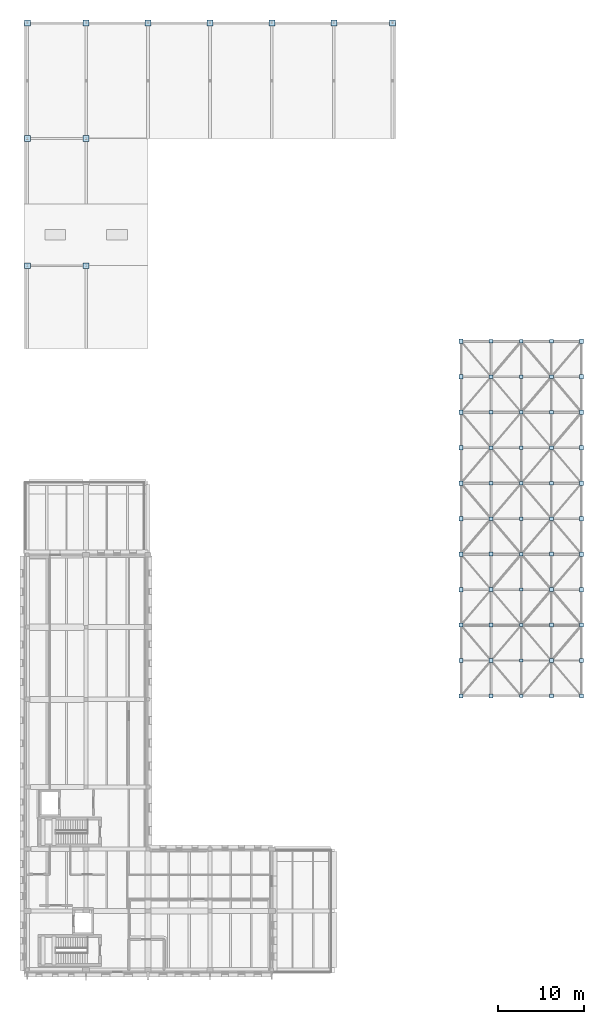
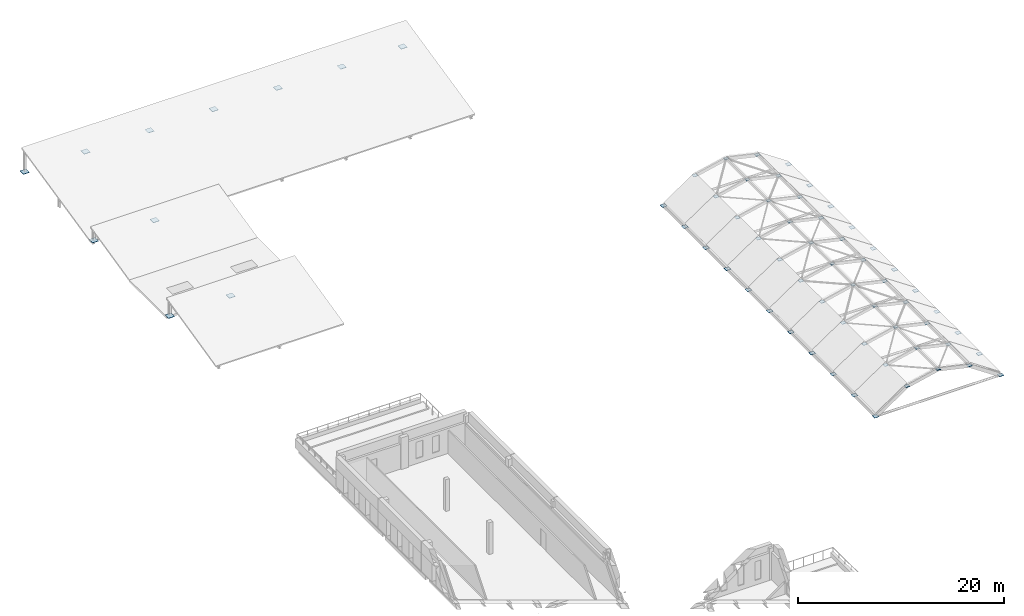
# One storey, part 8 of 15: 66 plates.
"""IFC4 building model written with IfcOpenShell, lengths in metres."""

from ifc_helpers import new_model, si_unit, direction, frame, origin, origin_2d, place, context, subcontext, project, spatial, rectangle, extrude, material, layer, layer_set, type_object, element, save


model = new_model("IFC4")

# Units and contexts
model_context = context("Model", 3, precision=1e-05, world=origin(), true_north=direction((0.0, 1.0)))
body_context = subcontext(model_context, "Body", "Model", "MODEL_VIEW")
ifc_project = project(units=[si_unit("LENGTHUNIT", "METRE"), si_unit("AREAUNIT", "SQUARE_METRE"), si_unit("VOLUMEUNIT", "CUBIC_METRE"), si_unit("PLANEANGLEUNIT", "RADIAN"), si_unit("MASSUNIT", "GRAM", prefix="KILO")], contexts=[model_context])

# Site, building, storey
site_placement = place(None, origin())
site = spatial("IfcSite", under=ifc_project, at=site_placement, CompositionType="ELEMENT")
building_placement = place(site_placement, origin())
building = spatial("IfcBuilding", under=site, at=building_placement, Name="Vardoun Plaza Health Centre", CompositionType="ELEMENT")
storey_placement = place(building_placement, frame((0.0, 0.0, 17.10009765625)))
storey = spatial("IfcBuildingStorey", under=building, at=storey_placement, Name="L04", CompositionType="ELEMENT", Elevation=17.10009765625)

# Plates
ifc_material_1 = material(Name="Steel S355J2", Category="steel")
ifc_layer_1 = layer(ifc_material_1, 0.0419921875)
ifc_layer_set_1 = layer_set([ifc_layer_1], Name="Steel S355J2")
plate_type_1 = type_object("IfcPlateType", Name="BP-03", PredefinedType="SHEET", material=ifc_layer_set_1)
for number, where, z_axis, x_axis, name in (
    (1, (4.8798828125, 86.699951171875, -0.041015625), (0.0, 0.0, 1.0), (1.0, 0.0, 0.0), "V3 Sawtooth Post Base Plate 1.1"),
    (2, (11.699951171875, 86.699951171875, -0.041015625), (0.0, 0.0, 1.0), (1.0, 0.0, 0.0), "V3 Sawtooth Post Base Plate 1.2"),
    (3, (4.8798828125, 101.47998046875, -0.041015625), (0.0, 0.0, 1.0), (1.0, 0.0, 0.0), "V3 Sawtooth Post Base Plate 2.1"),
    (4, (11.699951171875, 101.47998046875, -0.041015625), (0.0, 0.0, 1.0), (1.0, 0.0, 0.0), "V3 Sawtooth Post Base Plate 2.2"),
    (5, (4.8798828125, 114.919921875, -0.041015625), (0.0, 0.0, 1.0), (1.0, 0.0, 0.0), "V3 Sawtooth Post Base Plate 3.1"),
    (6, (11.699951171875, 114.919921875, -0.041015625), (0.0, 0.0, 1.0), (1.0, 0.0, 0.0), "V3 Sawtooth Post Base Plate 3.2"),
    (7, (18.89990234375, 114.919921875, -0.041015625), (0.0, 0.0, 1.0), (1.0, 0.0, 0.0), "V3 Sawtooth Post Base Plate 3.3"),
    (8, (26.10009765625, 114.919921875, -0.041015625), (0.0, 0.0, 1.0), (1.0, 0.0, 0.0), "V3 Sawtooth Post Base Plate 3.4"),
    (9, (33.300048828125, 114.919921875, -0.041015625), (0.0, 0.0, 1.0), (1.0, 0.0, 0.0), "V3 Sawtooth Post Base Plate 3.5"),
    (10, (40.5, 114.919921875, -0.041015625), (0.0, 0.0, 1.0), (1.0, 0.0, 0.0), "V3 Sawtooth Post Base Plate 3.6"),
    (11, (47.320068359375, 114.919921875, -0.041015625), (0.0, 0.0, 1.0), (1.0, 0.0, 0.0), "V3 Sawtooth Post Base Plate 3.7"),
):
    element("IfcPlate", number, at=place(storey_placement, frame(where, z_axis=z_axis, x_axis=x_axis)), inside=storey, type_object=plate_type_1, Name=name, PredefinedType="SHEET", context=body_context, shape_type="SweptSolid", body=[
        extrude(rectangle(XDim=0.679931640625, YDim=0.679931640625, at=origin_2d()), origin(), (0.0, 0.0, 1.0), 0.0419921875),
    ])
ifc_material_2 = material(Name="Steel S355J2", Category="steel")
ifc_layer_2 = layer(ifc_material_2, 0.02197265625)
ifc_layer_set_2 = layer_set([ifc_layer_2], Name="Steel S355J2")
plate_type_2 = type_object("IfcPlateType", Name="NP-05", PredefinedType="USERDEFINED", material=ifc_layer_set_2)
for number, where, z_axis, x_axis, name in (
    (12, (62.280029296875, 36.679931640625, 3.888916015625), (0.0, 0.0, 1.0), (1.0, 0.0, 0.0), "Gridshell Star Node Plate GN-01-05"),
    (13, (62.280029296875, 40.803955078125, 3.888916015625), (0.0, 0.0, 1.0), (1.0, 0.0, 0.0), "Gridshell Star Node Plate GN-02-05"),
    (14, (62.280029296875, 44.927978515625, 3.888916015625), (0.0, 0.0, 1.0), (1.0, 0.0, 0.0), "Gridshell Star Node Plate GN-03-05"),
    (15, (62.280029296875, 49.052001953125, 3.888916015625), (0.0, 0.0, 1.0), (1.0, 0.0, 0.0), "Gridshell Star Node Plate GN-04-05"),
    (16, (62.280029296875, 53.176025390625, 3.888916015625), (0.0, 0.0, 1.0), (1.0, 0.0, 0.0), "Gridshell Star Node Plate GN-05-05"),
    (17, (62.280029296875, 57.300048828125, 3.888916015625), (0.0, 0.0, 1.0), (1.0, 0.0, 0.0), "Gridshell Star Node Plate GN-06-05"),
    (18, (62.280029296875, 61.424072265625, 3.888916015625), (0.0, 0.0, 1.0), (1.0, 0.0, 0.0), "Gridshell Star Node Plate GN-07-05"),
    (19, (62.280029296875, 65.548095703125, 3.888916015625), (0.0, 0.0, 1.0), (1.0, 0.0, 0.0), "Gridshell Star Node Plate GN-08-05"),
    (20, (62.280029296875, 69.672119140625, 3.888916015625), (0.0, 0.0, 1.0), (1.0, 0.0, 0.0), "Gridshell Star Node Plate GN-09-05"),
    (21, (62.280029296875, 73.7958984375, 3.888916015625), (0.0, 0.0, 1.0), (1.0, 0.0, 0.0), "Gridshell Star Node Plate GN-10-05"),
    (22, (62.280029296875, 77.919921875, 3.888916015625), (0.0, 0.0, 1.0), (1.0, 0.0, 0.0), "Gridshell Star Node Plate GN-11-05"),
):
    element("IfcPlate", number, at=place(storey_placement, frame(where, z_axis=z_axis, x_axis=x_axis)), inside=storey, type_object=plate_type_2, Name=name, ObjectType="GUSSET_PLATE", PredefinedType="USERDEFINED", context=body_context, shape_type="SweptSolid", body=[
        extrude(rectangle(XDim=0.3798828125, YDim=0.3798828125, at=origin_2d()), origin(), (0.0, 0.0, 1.0), 0.02197265625),
    ])
ifc_material_3 = material(Name="Steel S355J2", Category="steel")
ifc_layer_3 = layer(ifc_material_3, 0.02490234375)
ifc_layer_set_3 = layer_set([ifc_layer_3], Name="Steel S355J2")
plate_type_3 = type_object("IfcPlateType", Name="NP-04", PredefinedType="USERDEFINED", material=ifc_layer_set_3)
for number, where, z_axis, x_axis, name in (
    (23, (58.77490234375, 36.679931640625, 3.099853515625), (0.0, 0.0, 1.0), (1.0, 0.0, 0.0), "Gridshell Star Node Plate GN-01-04"),
    (24, (65.784912109375, 36.679931640625, 3.099853515625), (0.0, 0.0, 1.0), (1.0, 0.0, 0.0), "Gridshell Star Node Plate GN-01-06"),
    (25, (58.77490234375, 40.803955078125, 3.099853515625), (0.0, 0.0, 1.0), (1.0, 0.0, 0.0), "Gridshell Star Node Plate GN-02-04"),
    (26, (65.784912109375, 40.803955078125, 3.099853515625), (0.0, 0.0, 1.0), (1.0, 0.0, 0.0), "Gridshell Star Node Plate GN-02-06"),
    (27, (58.77490234375, 44.927978515625, 3.099853515625), (0.0, 0.0, 1.0), (1.0, 0.0, 0.0), "Gridshell Star Node Plate GN-03-04"),
    (28, (65.784912109375, 44.927978515625, 3.099853515625), (0.0, 0.0, 1.0), (1.0, 0.0, 0.0), "Gridshell Star Node Plate GN-03-06"),
    (29, (58.77490234375, 49.052001953125, 3.099853515625), (0.0, 0.0, 1.0), (1.0, 0.0, 0.0), "Gridshell Star Node Plate GN-04-04"),
    (30, (65.784912109375, 49.052001953125, 3.099853515625), (0.0, 0.0, 1.0), (1.0, 0.0, 0.0), "Gridshell Star Node Plate GN-04-06"),
    (31, (58.77490234375, 53.176025390625, 3.099853515625), (0.0, 0.0, 1.0), (1.0, 0.0, 0.0), "Gridshell Star Node Plate GN-05-04"),
    (32, (65.784912109375, 53.176025390625, 3.099853515625), (0.0, 0.0, 1.0), (1.0, 0.0, 0.0), "Gridshell Star Node Plate GN-05-06"),
    (33, (58.77490234375, 57.300048828125, 3.099853515625), (0.0, 0.0, 1.0), (1.0, 0.0, 0.0), "Gridshell Star Node Plate GN-06-04"),
    (34, (65.784912109375, 57.300048828125, 3.099853515625), (0.0, 0.0, 1.0), (1.0, 0.0, 0.0), "Gridshell Star Node Plate GN-06-06"),
    (35, (58.77490234375, 61.424072265625, 3.099853515625), (0.0, 0.0, 1.0), (1.0, 0.0, 0.0), "Gridshell Star Node Plate GN-07-04"),
    (36, (65.784912109375, 61.424072265625, 3.099853515625), (0.0, 0.0, 1.0), (1.0, 0.0, 0.0), "Gridshell Star Node Plate GN-07-06"),
    (37, (58.77490234375, 65.548095703125, 3.099853515625), (0.0, 0.0, 1.0), (1.0, 0.0, 0.0), "Gridshell Star Node Plate GN-08-04"),
    (38, (65.784912109375, 65.548095703125, 3.099853515625), (0.0, 0.0, 1.0), (1.0, 0.0, 0.0), "Gridshell Star Node Plate GN-08-06"),
    (39, (58.77490234375, 69.672119140625, 3.099853515625), (0.0, 0.0, 1.0), (1.0, 0.0, 0.0), "Gridshell Star Node Plate GN-09-04"),
    (40, (65.784912109375, 69.672119140625, 3.099853515625), (0.0, 0.0, 1.0), (1.0, 0.0, 0.0), "Gridshell Star Node Plate GN-09-06"),
    (41, (58.77490234375, 73.7958984375, 3.099853515625), (0.0, 0.0, 1.0), (1.0, 0.0, 0.0), "Gridshell Star Node Plate GN-10-04"),
    (42, (65.784912109375, 73.7958984375, 3.099853515625), (0.0, 0.0, 1.0), (1.0, 0.0, 0.0), "Gridshell Star Node Plate GN-10-06"),
    (43, (58.77490234375, 77.919921875, 3.099853515625), (0.0, 0.0, 1.0), (1.0, 0.0, 0.0), "Gridshell Star Node Plate GN-11-04"),
    (44, (65.784912109375, 77.919921875, 3.099853515625), (0.0, 0.0, 1.0), (1.0, 0.0, 0.0), "Gridshell Star Node Plate GN-11-06"),
):
    element("IfcPlate", number, at=place(storey_placement, frame(where, z_axis=z_axis, x_axis=x_axis)), inside=storey, type_object=plate_type_3, Name=name, ObjectType="GUSSET_PLATE", PredefinedType="USERDEFINED", context=body_context, shape_type="SweptSolid", body=[
        extrude(rectangle(XDim=0.43994140625, YDim=0.43994140625, at=origin_2d()), origin(), (0.0, 0.0, 1.0), 0.02490234375),
    ])
ifc_material_4 = material(Name="Steel S355J2", Category="steel")
ifc_layer_4 = layer(ifc_material_4, 0.028076171875)
ifc_layer_set_4 = layer_set([ifc_layer_4], Name="Steel S355J2")
plate_type_4 = type_object("IfcPlateType", Name="NP-03", PredefinedType="USERDEFINED", material=ifc_layer_set_4)
for number, where, z_axis, x_axis, name in (
    (45, (55.27001953125, 36.679931640625, 0.73583984375), (0.0, 0.0, 1.0), (1.0, 0.0, 0.0), "Gridshell Star Node Plate GN-01-03"),
    (46, (69.2900390625, 36.679931640625, 0.73583984375), (0.0, 0.0, 1.0), (1.0, 0.0, 0.0), "Gridshell Star Node Plate GN-01-07"),
    (47, (55.27001953125, 40.803955078125, 0.73583984375), (0.0, 0.0, 1.0), (1.0, 0.0, 0.0), "Gridshell Star Node Plate GN-02-03"),
    (48, (69.2900390625, 40.803955078125, 0.73583984375), (0.0, 0.0, 1.0), (1.0, 0.0, 0.0), "Gridshell Star Node Plate GN-02-07"),
    (49, (55.27001953125, 44.927978515625, 0.73583984375), (0.0, 0.0, 1.0), (1.0, 0.0, 0.0), "Gridshell Star Node Plate GN-03-03"),
    (50, (69.2900390625, 44.927978515625, 0.73583984375), (0.0, 0.0, 1.0), (1.0, 0.0, 0.0), "Gridshell Star Node Plate GN-03-07"),
    (51, (55.27001953125, 49.052001953125, 0.73583984375), (0.0, 0.0, 1.0), (1.0, 0.0, 0.0), "Gridshell Star Node Plate GN-04-03"),
    (52, (69.2900390625, 49.052001953125, 0.73583984375), (0.0, 0.0, 1.0), (1.0, 0.0, 0.0), "Gridshell Star Node Plate GN-04-07"),
    (53, (55.27001953125, 53.176025390625, 0.73583984375), (0.0, 0.0, 1.0), (1.0, 0.0, 0.0), "Gridshell Star Node Plate GN-05-03"),
    (54, (69.2900390625, 53.176025390625, 0.73583984375), (0.0, 0.0, 1.0), (1.0, 0.0, 0.0), "Gridshell Star Node Plate GN-05-07"),
    (55, (55.27001953125, 57.300048828125, 0.73583984375), (0.0, 0.0, 1.0), (1.0, 0.0, 0.0), "Gridshell Star Node Plate GN-06-03"),
    (56, (69.2900390625, 57.300048828125, 0.73583984375), (0.0, 0.0, 1.0), (1.0, 0.0, 0.0), "Gridshell Star Node Plate GN-06-07"),
    (57, (55.27001953125, 61.424072265625, 0.73583984375), (0.0, 0.0, 1.0), (1.0, 0.0, 0.0), "Gridshell Star Node Plate GN-07-03"),
    (58, (69.2900390625, 61.424072265625, 0.73583984375), (0.0, 0.0, 1.0), (1.0, 0.0, 0.0), "Gridshell Star Node Plate GN-07-07"),
    (59, (55.27001953125, 65.548095703125, 0.73583984375), (0.0, 0.0, 1.0), (1.0, 0.0, 0.0), "Gridshell Star Node Plate GN-08-03"),
    (60, (69.2900390625, 65.548095703125, 0.73583984375), (0.0, 0.0, 1.0), (1.0, 0.0, 0.0), "Gridshell Star Node Plate GN-08-07"),
    (61, (55.27001953125, 69.672119140625, 0.73583984375), (0.0, 0.0, 1.0), (1.0, 0.0, 0.0), "Gridshell Star Node Plate GN-09-03"),
    (62, (69.2900390625, 69.672119140625, 0.73583984375), (0.0, 0.0, 1.0), (1.0, 0.0, 0.0), "Gridshell Star Node Plate GN-09-07"),
    (63, (55.27001953125, 73.7958984375, 0.73583984375), (0.0, 0.0, 1.0), (1.0, 0.0, 0.0), "Gridshell Star Node Plate GN-10-03"),
    (64, (69.2900390625, 73.7958984375, 0.73583984375), (0.0, 0.0, 1.0), (1.0, 0.0, 0.0), "Gridshell Star Node Plate GN-10-07"),
    (65, (55.27001953125, 77.919921875, 0.73583984375), (0.0, 0.0, 1.0), (1.0, 0.0, 0.0), "Gridshell Star Node Plate GN-11-03"),
    (66, (69.2900390625, 77.919921875, 0.73583984375), (0.0, 0.0, 1.0), (1.0, 0.0, 0.0), "Gridshell Star Node Plate GN-11-07"),
):
    element("IfcPlate", number, at=place(storey_placement, frame(where, z_axis=z_axis, x_axis=x_axis)), inside=storey, type_object=plate_type_4, Name=name, ObjectType="GUSSET_PLATE", PredefinedType="USERDEFINED", context=body_context, shape_type="SweptSolid", body=[
        extrude(rectangle(XDim=0.5, YDim=0.5, at=origin_2d()), origin(), (0.0, 0.0, 1.0), 0.028076171875),
    ])

save(model, "model.ifc")
